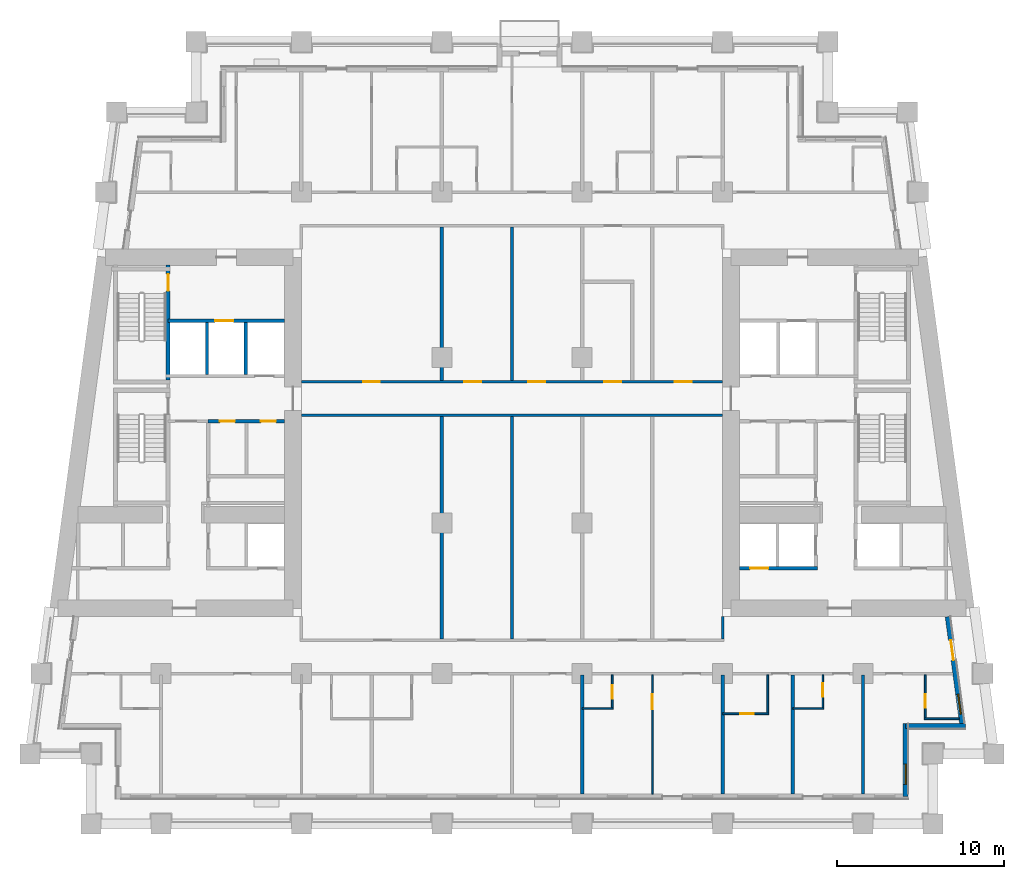
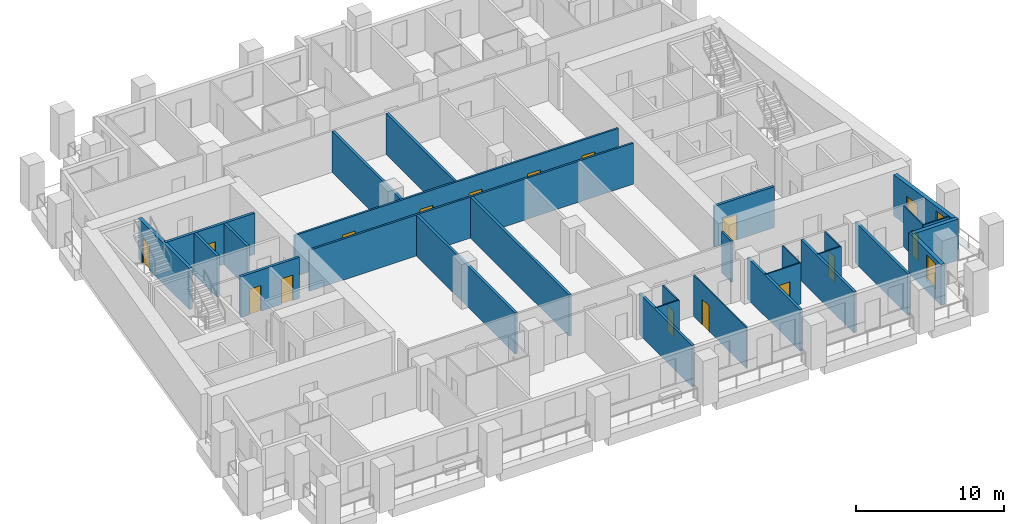
# One storey, part 4 of 13: 29 walls, 16 doors, 2 windows, 18 openings.
"""IFC4 building model written with IfcOpenShell, lengths in metres."""

from ifc_helpers import new_model, si_unit, direction, frame, frame_2d, origin, place, context, subcontext, project, spatial, rectangle, extrude, material, layer, layer_set, type_object, element, fill, save


model = new_model("IFC4")

# Units and contexts
model_context = context("Model", 3, precision=1e-05, world=origin(), true_north=direction((0.0, 1.0)))
body_context = subcontext(model_context, "Body", "Model", "MODEL_VIEW")
ifc_project = project(units=[si_unit("LENGTHUNIT", "METRE"), si_unit("AREAUNIT", "SQUARE_METRE"), si_unit("VOLUMEUNIT", "CUBIC_METRE"), si_unit("PLANEANGLEUNIT", "RADIAN"), si_unit("MASSUNIT", "GRAM", prefix="KILO")], contexts=[model_context])

# Site, building, storey
site_placement = place(None, origin())
site = spatial("IfcSite", under=ifc_project, at=site_placement, CompositionType="ELEMENT")
building_placement = place(site_placement, origin())
building = spatial("IfcBuilding", under=site, at=building_placement, Name="Candeia Pilgrim Tower and Theatre", CompositionType="ELEMENT")
storey_placement = place(building_placement, frame((0.0, 0.0, 109.5)))
storey = spatial("IfcBuildingStorey", under=building, at=storey_placement, Name="L25", CompositionType="ELEMENT", Elevation=109.5)

# Wall, opening, window
ifc_material_1 = material(Name="Ceramic block masonry", Category="masonry")
ifc_layer_1 = layer(ifc_material_1, 0.300048828125)
ifc_layer_set_1 = layer_set([ifc_layer_1], Name="EW1 glazing-line wall 300")
wall_type_1 = type_object("IfcWallType", Name="EW1 glazing-line wall 300", PredefinedType="SOLIDWALL", material=ifc_layer_set_1)
wall_1_placement = place(storey_placement, frame((136.949951171875, 99.64990234375, 0.0), z_axis=(0.0, 0.0, 1.0), x_axis=(0.0, 1.0, 0.0)))
wall_1 = element("IfcWall", 1, at=wall_1_placement, inside=storey, type_object=wall_type_1, Name="External wall L25-1.0", PredefinedType="SOLIDWALL", context=body_context, shape_type="SweptSolid", body=[
    extrude(rectangle(XDim=4.35009765625, YDim=0.300048828125, at=frame_2d((2.175048828125, 0.0))), origin(), (0.0, 0.0, 1.0), 3.3798828125),
])
opening_1_placement = place(wall_1_placement, frame((0.72509765625, 0.0, 0.89990234375)))
opening_1 = element("IfcOpeningElement", 2, at=opening_1_placement, cuts=wall_1, Name="Opening W-B", PredefinedType="OPENING", context=body_context, shape_type="SweptSolid", body=[
    extrude(rectangle(XDim=1.199951171875, YDim=2.10009765625, at=frame_2d((0.60009765625, 1.050048828125))), frame((0.0, 0.16015625, 0.0), z_axis=(0.0, -1.0, 0.0), x_axis=(1.0, 0.0, 0.0)), (0.0, 0.0, 1.0), 0.320068359375),
])
ifc_material_2 = material(Name="Aluminium framed double glazing", Category="aluminium")
window_type = type_object("IfcWindowType", Name="W-B window 1200x2100", PartitioningType="SINGLE_PANEL", PredefinedType="WINDOW", material=ifc_material_2)
window_1_placement = place(opening_1_placement, origin())
window_1 = element("IfcWindow", 3, at=window_1_placement, inside=storey, type_object=window_type, Name="Window W-B L25", OverallHeight=2.10009765625, OverallWidth=1.199951171875, PartitioningType="SINGLE_PANEL", PredefinedType="WINDOW", context=body_context, shape_type="SweptSolid", body=[
    extrude(rectangle(XDim=1.199951171875, YDim=2.10009765625, at=frame_2d((0.60009765625, 1.050048828125))), frame((0.0, 0.030029296875, 0.0), z_axis=(0.0, -1.0, 0.0), x_axis=(1.0, 0.0, 0.0)), (0.0, 0.0, 1.0), 0.06005859375),
])
fill(opening_1, window_1)

# Wall
wall_2_placement = place(storey_placement, frame((136.949951171875, 103.85009765625, 0.0), z_axis=(0.0, 0.0, 1.0), x_axis=(1.0, 0.0, 0.0)))
element("IfcWall", 4, at=wall_2_placement, inside=storey, type_object=wall_type_1, Name="External wall L25-2.0", PredefinedType="SOLIDWALL", context=body_context, shape_type="SweptSolid", body=[
    extrude(rectangle(XDim=3.569091796875, YDim=0.300048828125, at=frame_2d((1.78466796875, 0.0))), origin(), (0.0, 0.0, 1.0), 3.3798828125),
])

# Wall, openings, door, window
wall_3_placement = place(storey_placement, frame((140.34765625, 103.85009765625, 0.0), z_axis=(0.0, 0.0, 1.0), x_axis=(-0.133431549479, 0.991058031401, 0.0)))
wall_3 = element("IfcWall", 5, at=wall_3_placement, inside=storey, type_object=wall_type_1, Name="External wall L25-3.0", PredefinedType="SOLIDWALL", context=body_context, shape_type="SweptSolid", body=[
    extrude(rectangle(XDim=6.60888671875, YDim=0.300048828125, at=frame_2d((3.304443359375, 0.0))), origin(), (0.0, 0.0, 1.0), 3.3798828125),
])
opening_2_placement = place(wall_3_placement, frame((0.736572265625, 0.0, 0.89990234375)))
opening_2 = element("IfcOpeningElement", 6, at=opening_2_placement, cuts=wall_3, Name="Opening W-B", PredefinedType="OPENING", context=body_context, shape_type="SweptSolid", body=[
    extrude(rectangle(XDim=1.199951171875, YDim=2.10009765625, at=frame_2d((0.60009765625, 1.050048828125))), frame((0.0, 0.16015625, 0.0), z_axis=(0.0, -1.0, 0.0), x_axis=(1.0, 0.0, 0.0)), (0.0, 0.0, 1.0), 0.320068359375),
])
opening_3_placement = place(wall_3_placement, frame((3.990966796875, 0.0, 0.0)))
opening_3 = element("IfcOpeningElement", 7, at=opening_3_placement, cuts=wall_3, Name="Opening L25-ED255", PredefinedType="OPENING", context=body_context, shape_type="SweptSolid", body=[
    extrude(rectangle(XDim=1.199951171875, YDim=2.39990234375, at=frame_2d((0.60009765625, 1.199951171875))), frame((0.0, 0.16015625, 0.0), z_axis=(0.0, -1.0, 0.0), x_axis=(1.0, 0.0, 0.0)), (0.0, 0.0, 1.0), 0.320068359375),
])
ifc_material_3 = material(Name="Aluminium framed glazed door", Category="aluminium")
door_type_1 = type_object("IfcDoorType", Name="Loggia door 1200x2400", OperationType="DOUBLE_DOOR_SINGLE_SWING", PredefinedType="DOOR", material=ifc_material_3)
door_1_placement = place(opening_3_placement, origin())
door_1 = element("IfcDoor", 8, at=door_1_placement, inside=storey, type_object=door_type_1, Name="Loggia door L25-ED255", OperationType="DOUBLE_DOOR_SINGLE_SWING", OverallHeight=2.39990234375, OverallWidth=1.199951171875, PredefinedType="DOOR", context=body_context, shape_type="SweptSolid", body=[
    extrude(rectangle(XDim=1.199951171875, YDim=2.39990234375, at=frame_2d((0.60009765625, 1.199951171875))), frame((0.0, 0.02490234375, 0.0), z_axis=(0.0, -1.0, 0.0), x_axis=(1.0, 0.0, 0.0)), (0.0, 0.0, 1.0), 0.050048828125),
])
fill(opening_3, door_1)
window_2_placement = place(opening_2_placement, origin())
window_2 = element("IfcWindow", 9, at=window_2_placement, inside=storey, type_object=window_type, Name="Window W-B L25", OverallHeight=2.10009765625, OverallWidth=1.199951171875, PartitioningType="SINGLE_PANEL", PredefinedType="WINDOW", context=body_context, shape_type="SweptSolid", body=[
    extrude(rectangle(XDim=1.199951171875, YDim=2.10009765625, at=frame_2d((0.60009765625, 1.050048828125))), frame((0.0, 0.030029296875, 0.0), z_axis=(0.0, -1.0, 0.0), x_axis=(1.0, 0.0, 0.0)), (0.0, 0.0, 1.0), 0.06005859375),
])
fill(opening_2, window_2)

# Wall
ifc_material_4 = material(Name="Gypsum board partition on steel studs", Category="steel")
ifc_layer_2 = layer(ifc_material_4, 0.10009765625)
ifc_layer_set_2 = layer_set([ifc_layer_2], Name="PW-100 room partition")
wall_type_2 = type_object("IfcWallType", Name="PW-100 room partition", PredefinedType="PARTITIONING", material=ifc_layer_set_2)
wall_4_placement = place(storey_placement, frame((138.070068359375, 104.300048828125, 0.0), z_axis=(0.0, 0.0, 1.0), x_axis=(1.0, 0.0, 0.0)))
element("IfcWall", 10, at=wall_4_placement, inside=storey, type_object=wall_type_2, Name="Room partition L25-002", PredefinedType="PARTITIONING", context=body_context, shape_type="SweptSolid", body=[
    extrude(rectangle(XDim=2.07568359375, YDim=0.10009765625, at=frame_2d((1.037841796875, 0.0))), origin(), (0.0, 0.0, 1.0), 3.3798828125),
])

# Wall, opening, door
wall_5_placement = place(storey_placement, frame((126.0, 104.60009765625, 0.0), z_axis=(0.0, 0.0, 1.0), x_axis=(1.0, 0.0, 0.0)))
wall_5 = element("IfcWall", 11, at=wall_5_placement, inside=storey, type_object=wall_type_2, Name="Room partition L25-003", PredefinedType="PARTITIONING", context=body_context, shape_type="SweptSolid", body=[
    extrude(rectangle(XDim=2.75, YDim=0.10009765625, at=frame_2d((1.375, 0.0))), origin(), (0.0, 0.0, 1.0), 3.3798828125),
])
opening_4_placement = place(wall_5_placement, frame((1.070068359375, 0.0, 0.0)))
opening_4 = element("IfcOpeningElement", 12, at=opening_4_placement, cuts=wall_5, Name="Opening L25-D029", PredefinedType="OPENING", context=body_context, shape_type="SweptSolid", body=[
    extrude(rectangle(XDim=0.800048828125, YDim=2.10009765625, at=frame_2d((0.39990234375, 1.050048828125))), frame((0.0, 0.06005859375, 0.0), z_axis=(0.0, -1.0, 0.0), x_axis=(1.0, 0.0, 0.0)), (0.0, 0.0, 1.0), 0.1201171875),
])
ifc_material_5 = material(Name="Timber door leaf", Category="wood")
door_type_2 = type_object("IfcDoorType", Name="D-800", OperationType="NOTDEFINED", PredefinedType="DOOR", material=ifc_material_5)
door_2_placement = place(opening_4_placement, origin())
door_2 = element("IfcDoor", 13, at=door_2_placement, inside=storey, type_object=door_type_2, Name="Door L25-D029", OperationType="SINGLE_SWING_RIGHT", OverallHeight=2.10009765625, OverallWidth=0.800048828125, PredefinedType="DOOR", context=body_context, shape_type="SweptSolid", body=[
    extrude(rectangle(XDim=0.800048828125, YDim=2.10009765625, at=frame_2d((0.39990234375, 1.050048828125))), frame((0.0, 0.02490234375, 0.0), z_axis=(0.0, -1.0, 0.0), x_axis=(1.0, 0.0, 0.0)), (0.0, 0.0, 1.0), 0.050048828125),
])
fill(opening_4, door_2)

# Walls
wall_6_placement = place(storey_placement, frame((117.60009765625, 104.89990234375, 0.0), z_axis=(0.0, 0.0, 1.0), x_axis=(1.0, 0.0, 0.0)))
element("IfcWall", 14, at=wall_6_placement, inside=storey, type_object=wall_type_2, Name="Room partition L25-005", PredefinedType="PARTITIONING", context=body_context, shape_type="SweptSolid", body=[
    extrude(rectangle(XDim=1.849853515625, YDim=0.10009765625, at=frame_2d((0.9248046875, 0.0))), origin(), (0.0, 0.0, 1.0), 3.3798828125),
])
wall_7_placement = place(storey_placement, frame((130.199951171875, 104.89990234375, 0.0), z_axis=(0.0, 0.0, 1.0), x_axis=(1.0, 0.0, 0.0)))
element("IfcWall", 15, at=wall_7_placement, inside=storey, type_object=wall_type_2, Name="Room partition L25-006", PredefinedType="PARTITIONING", context=body_context, shape_type="SweptSolid", body=[
    extrude(rectangle(XDim=1.85009765625, YDim=0.10009765625, at=frame_2d((0.925048828125, 0.0))), origin(), (0.0, 0.0, 1.0), 3.3798828125),
])

# Wall, opening, door
wall_8_placement = place(storey_placement, frame((119.39990234375, 104.949951171875, 0.0), z_axis=(0.0, 0.0, 1.0), x_axis=(0.0, 1.0, 0.0)))
wall_8 = element("IfcWall", 16, at=wall_8_placement, inside=storey, type_object=wall_type_2, Name="Room partition L25-089", PredefinedType="PARTITIONING", context=body_context, shape_type="SweptSolid", body=[
    extrude(rectangle(XDim=1.97509765625, YDim=0.10009765625, at=frame_2d((0.987548828125, 0.0))), origin(), (0.0, 0.0, 1.0), 3.3798828125),
])
opening_5_placement = place(wall_8_placement, frame((0.5400390625, 0.0, 0.0)))
opening_5 = element("IfcOpeningElement", 17, at=opening_5_placement, cuts=wall_8, Name="Opening L25-D027", PredefinedType="OPENING", context=body_context, shape_type="SweptSolid", body=[
    extrude(rectangle(XDim=0.800048828125, YDim=2.10009765625, at=frame_2d((0.39990234375, 1.050048828125))), frame((0.0, 0.06005859375, 0.0), z_axis=(0.0, -1.0, 0.0), x_axis=(1.0, 0.0, 0.0)), (0.0, 0.0, 1.0), 0.1201171875),
])
door_3_placement = place(opening_5_placement, origin())
door_3 = element("IfcDoor", 18, at=door_3_placement, inside=storey, type_object=door_type_2, Name="Door L25-D027", OperationType="SINGLE_SWING_RIGHT", OverallHeight=2.10009765625, OverallWidth=0.800048828125, PredefinedType="DOOR", context=body_context, shape_type="SweptSolid", body=[
    extrude(rectangle(XDim=0.800048828125, YDim=2.10009765625, at=frame_2d((0.39990234375, 1.050048828125))), frame((0.0, 0.02490234375, 0.0), z_axis=(0.0, -1.0, 0.0), x_axis=(1.0, 0.0, 0.0)), (0.0, 0.0, 1.0), 0.050048828125),
])
fill(opening_5, door_3)

wall_9_placement = place(storey_placement, frame((121.800048828125, 99.7900390625, 0.0), z_axis=(0.0, 0.0, 1.0), x_axis=(0.0, 1.0, 0.0)))
wall_9 = element("IfcWall", 19, at=wall_9_placement, inside=storey, type_object=wall_type_2, Name="Room partition L25-092", PredefinedType="PARTITIONING", context=body_context, shape_type="SweptSolid", body=[
    extrude(rectangle(XDim=7.135009765625, YDim=0.10009765625, at=frame_2d((3.5673828125, 0.0))), origin(), (0.0, 0.0, 1.0), 3.3798828125),
])
opening_6_placement = place(wall_9_placement, frame((5.074951171875, 0.0, 0.0)))
opening_6 = element("IfcOpeningElement", 20, at=opening_6_placement, cuts=wall_9, Name="Opening L25-D026", PredefinedType="OPENING", context=body_context, shape_type="SweptSolid", body=[
    extrude(rectangle(XDim=0.89990234375, YDim=2.10009765625, at=frame_2d((0.449951171875, 1.050048828125))), frame((0.0, 0.06005859375, 0.0), z_axis=(0.0, -1.0, 0.0), x_axis=(1.0, 0.0, 0.0)), (0.0, 0.0, 1.0), 0.1201171875),
])
door_type_3 = type_object("IfcDoorType", Name="D-900", OperationType="NOTDEFINED", PredefinedType="DOOR", material=ifc_material_5)
door_4_placement = place(opening_6_placement, origin())
door_4 = element("IfcDoor", 21, at=door_4_placement, inside=storey, type_object=door_type_3, Name="Door L25-D026", OperationType="SINGLE_SWING_LEFT", OverallHeight=2.10009765625, OverallWidth=0.89990234375, PredefinedType="DOOR", context=body_context, shape_type="SweptSolid", body=[
    extrude(rectangle(XDim=0.89990234375, YDim=2.10009765625, at=frame_2d((0.449951171875, 1.050048828125))), frame((0.0, 0.02490234375, 0.0), z_axis=(0.0, -1.0, 0.0), x_axis=(1.0, 0.0, 0.0)), (0.0, 0.0, 1.0), 0.050048828125),
])
fill(opening_6, door_4)

# Wall
wall_10_placement = place(storey_placement, frame((128.699951171875, 104.64990234375, 0.0), z_axis=(0.0, 0.0, 1.0), x_axis=(0.0, 1.0, 0.0)))
element("IfcWall", 22, at=wall_10_placement, inside=storey, type_object=wall_type_2, Name="Room partition L25-101", PredefinedType="PARTITIONING", context=body_context, shape_type="SweptSolid", body=[
    extrude(rectangle(XDim=2.275146484375, YDim=0.10009765625, at=frame_2d((1.1376953125, 0.0))), origin(), (0.0, 0.0, 1.0), 3.3798828125),
])

# Wall, opening, door
wall_11_placement = place(storey_placement, frame((132.0, 104.949951171875, 0.0), z_axis=(0.0, 0.0, 1.0), x_axis=(0.0, 1.0, 0.0)))
wall_11 = element("IfcWall", 23, at=wall_11_placement, inside=storey, type_object=wall_type_2, Name="Room partition L25-111", PredefinedType="PARTITIONING", context=body_context, shape_type="SweptSolid", body=[
    extrude(rectangle(XDim=1.97509765625, YDim=0.10009765625, at=frame_2d((0.987548828125, 0.0))), origin(), (0.0, 0.0, 1.0), 3.3798828125),
])
opening_7_placement = place(wall_11_placement, frame((0.659912109375, 0.0, 0.0)))
opening_7 = element("IfcOpeningElement", 24, at=opening_7_placement, cuts=wall_11, Name="Opening L25-D031", PredefinedType="OPENING", context=body_context, shape_type="SweptSolid", body=[
    extrude(rectangle(XDim=0.800048828125, YDim=2.10009765625, at=frame_2d((0.39990234375, 1.050048828125))), frame((0.0, 0.06005859375, 0.0), z_axis=(0.0, -1.0, 0.0), x_axis=(1.0, 0.0, 0.0)), (0.0, 0.0, 1.0), 0.1201171875),
])
door_5_placement = place(opening_7_placement, origin())
door_5 = element("IfcDoor", 25, at=door_5_placement, inside=storey, type_object=door_type_2, Name="Door L25-D031", OperationType="SINGLE_SWING_RIGHT", OverallHeight=2.10009765625, OverallWidth=0.800048828125, PredefinedType="DOOR", context=body_context, shape_type="SweptSolid", body=[
    extrude(rectangle(XDim=0.800048828125, YDim=2.10009765625, at=frame_2d((0.39990234375, 1.050048828125))), frame((0.0, 0.02490234375, 0.0), z_axis=(0.0, -1.0, 0.0), x_axis=(1.0, 0.0, 0.0)), (0.0, 0.0, 1.0), 0.050048828125),
])
fill(opening_7, door_5)

wall_12_placement = place(storey_placement, frame((138.1201171875, 104.35009765625, 0.0), z_axis=(0.0, 0.0, 1.0), x_axis=(0.0, 1.0, 0.0)))
wall_12 = element("IfcWall", 26, at=wall_12_placement, inside=storey, type_object=wall_type_2, Name="Room partition L25-122", PredefinedType="PARTITIONING", context=body_context, shape_type="SweptSolid", body=[
    extrude(rectangle(XDim=2.574951171875, YDim=0.10009765625, at=frame_2d((1.28759765625, 0.0))), origin(), (0.0, 0.0, 1.0), 3.3798828125),
])
opening_8_placement = place(wall_12_placement, frame((0.60009765625, 0.0, 0.0)))
opening_8 = element("IfcOpeningElement", 27, at=opening_8_placement, cuts=wall_12, Name="Opening L25-D033", PredefinedType="OPENING", context=body_context, shape_type="SweptSolid", body=[
    extrude(rectangle(XDim=0.800048828125, YDim=2.10009765625, at=frame_2d((0.39990234375, 1.050048828125))), frame((0.0, 0.06005859375, 0.0), z_axis=(0.0, -1.0, 0.0), x_axis=(1.0, 0.0, 0.0)), (0.0, 0.0, 1.0), 0.1201171875),
])
door_6_placement = place(opening_8_placement, origin())
door_6 = element("IfcDoor", 28, at=door_6_placement, inside=storey, type_object=door_type_2, Name="Door L25-D033", OperationType="SINGLE_SWING_RIGHT", OverallHeight=2.10009765625, OverallWidth=0.800048828125, PredefinedType="DOOR", context=body_context, shape_type="SweptSolid", body=[
    extrude(rectangle(XDim=0.800048828125, YDim=2.10009765625, at=frame_2d((0.39990234375, 1.050048828125))), frame((0.0, 0.02490234375, 0.0), z_axis=(0.0, -1.0, 0.0), x_axis=(1.0, 0.0, 0.0)), (0.0, 0.0, 1.0), 0.050048828125),
])
fill(opening_8, door_6)

# Wall
ifc_layer_3 = layer(ifc_material_4, 0.14990234375)
ifc_layer_set_3 = layer_set([ifc_layer_3], Name="PW-150 unit wall")
wall_type_3 = type_object("IfcWallType", Name="PW-150 unit wall", PredefinedType="PARTITIONING", material=ifc_layer_set_3)
wall_13_placement = place(storey_placement, frame((100.800048828125, 122.449951171875, 0.0), z_axis=(0.0, 0.0, 1.0), x_axis=(1.0, 0.0, 0.0)))
element("IfcWall", 29, at=wall_13_placement, inside=storey, type_object=wall_type_3, Name="Unit wall L25-025", PredefinedType="PARTITIONING", context=body_context, shape_type="SweptSolid", body=[
    extrude(rectangle(XDim=25.199951171875, YDim=0.14990234375, at=frame_2d((12.60009765625, 0.0))), origin(), (0.0, 0.0, 1.0), 3.3798828125),
])

# Wall, openings, doors
wall_14_placement = place(storey_placement, frame((100.800048828125, 124.449951171875, 0.0), z_axis=(0.0, 0.0, 1.0), x_axis=(1.0, 0.0, 0.0)))
wall_14 = element("IfcWall", 30, at=wall_14_placement, inside=storey, type_object=wall_type_3, Name="Unit wall L25-030", PredefinedType="PARTITIONING", context=body_context, shape_type="SweptSolid", body=[
    extrude(rectangle(XDim=25.199951171875, YDim=0.14990234375, at=frame_2d((12.60009765625, 0.0))), origin(), (0.0, 0.0, 1.0), 3.3798828125),
])
opening_9_placement = place(wall_14_placement, frame((3.699951171875, 0.0, 0.0)))
opening_9 = element("IfcOpeningElement", 31, at=opening_9_placement, cuts=wall_14, Name="Opening L25-D056", PredefinedType="OPENING", context=body_context, shape_type="SweptSolid", body=[
    extrude(rectangle(XDim=1.0, YDim=2.10009765625, at=frame_2d((0.5, 1.050048828125))), frame((0.0, 0.0849609375, 0.0), z_axis=(0.0, -1.0, 0.0), x_axis=(1.0, 0.0, 0.0)), (0.0, 0.0, 1.0), 0.169921875),
])
opening_10_placement = place(wall_14_placement, frame((9.75, 0.0, 0.0)))
opening_10 = element("IfcOpeningElement", 32, at=opening_10_placement, cuts=wall_14, Name="Opening L25-D057", PredefinedType="OPENING", context=body_context, shape_type="SweptSolid", body=[
    extrude(rectangle(XDim=1.0, YDim=2.10009765625, at=frame_2d((0.5, 1.050048828125))), frame((0.0, 0.0849609375, 0.0), z_axis=(0.0, -1.0, 0.0), x_axis=(1.0, 0.0, 0.0)), (0.0, 0.0, 1.0), 0.169921875),
])
opening_11_placement = place(wall_14_placement, frame((13.574951171875, 0.0, 0.0)))
opening_11 = element("IfcOpeningElement", 33, at=opening_11_placement, cuts=wall_14, Name="Opening L25-D058", PredefinedType="OPENING", context=body_context, shape_type="SweptSolid", body=[
    extrude(rectangle(XDim=1.0, YDim=2.10009765625, at=frame_2d((0.5, 1.050048828125))), frame((0.0, 0.0849609375, 0.0), z_axis=(0.0, -1.0, 0.0), x_axis=(1.0, 0.0, 0.0)), (0.0, 0.0, 1.0), 0.169921875),
])
opening_12_placement = place(wall_14_placement, frame((18.125, 0.0, 0.0)))
opening_12 = element("IfcOpeningElement", 34, at=opening_12_placement, cuts=wall_14, Name="Opening L25-D059", PredefinedType="OPENING", context=body_context, shape_type="SweptSolid", body=[
    extrude(rectangle(XDim=1.0, YDim=2.10009765625, at=frame_2d((0.5, 1.050048828125))), frame((0.0, 0.0849609375, 0.0), z_axis=(0.0, -1.0, 0.0), x_axis=(1.0, 0.0, 0.0)), (0.0, 0.0, 1.0), 0.169921875),
])
opening_13_placement = place(wall_14_placement, frame((22.35009765625, 0.0, 0.0)))
opening_13 = element("IfcOpeningElement", 35, at=opening_13_placement, cuts=wall_14, Name="Opening L25-D060", PredefinedType="OPENING", context=body_context, shape_type="SweptSolid", body=[
    extrude(rectangle(XDim=1.0, YDim=2.10009765625, at=frame_2d((0.5, 1.050048828125))), frame((0.0, 0.0849609375, 0.0), z_axis=(0.0, -1.0, 0.0), x_axis=(1.0, 0.0, 0.0)), (0.0, 0.0, 1.0), 0.169921875),
])
ifc_material_6 = material(Name="Steel fire door set", Category="steel")
door_type_4 = type_object("IfcDoorType", Name="D-1000-FD30S", OperationType="NOTDEFINED", PredefinedType="DOOR", material=ifc_material_6)
door_7_placement = place(opening_9_placement, origin())
door_7 = element("IfcDoor", 36, at=door_7_placement, inside=storey, type_object=door_type_4, Name="Door L25-D056", OperationType="SINGLE_SWING_LEFT", OverallHeight=2.10009765625, OverallWidth=1.0, PredefinedType="DOOR", context=body_context, shape_type="SweptSolid", body=[
    extrude(rectangle(XDim=1.0, YDim=2.10009765625, at=frame_2d((0.5, 1.050048828125))), frame((0.0, 0.02490234375, 0.0), z_axis=(0.0, -1.0, 0.0), x_axis=(1.0, 0.0, 0.0)), (0.0, 0.0, 1.0), 0.050048828125),
])
fill(opening_9, door_7)
door_8_placement = place(opening_10_placement, origin())
door_8 = element("IfcDoor", 37, at=door_8_placement, inside=storey, type_object=door_type_4, Name="Door L25-D057", OperationType="SINGLE_SWING_RIGHT", OverallHeight=2.10009765625, OverallWidth=1.0, PredefinedType="DOOR", context=body_context, shape_type="SweptSolid", body=[
    extrude(rectangle(XDim=1.0, YDim=2.10009765625, at=frame_2d((0.5, 1.050048828125))), frame((0.0, 0.02490234375, 0.0), z_axis=(0.0, -1.0, 0.0), x_axis=(1.0, 0.0, 0.0)), (0.0, 0.0, 1.0), 0.050048828125),
])
fill(opening_10, door_8)
door_9_placement = place(opening_11_placement, origin())
door_9 = element("IfcDoor", 38, at=door_9_placement, inside=storey, type_object=door_type_4, Name="Door L25-D058", OperationType="SINGLE_SWING_LEFT", OverallHeight=2.10009765625, OverallWidth=1.0, PredefinedType="DOOR", context=body_context, shape_type="SweptSolid", body=[
    extrude(rectangle(XDim=1.0, YDim=2.10009765625, at=frame_2d((0.5, 1.050048828125))), frame((0.0, 0.02490234375, 0.0), z_axis=(0.0, -1.0, 0.0), x_axis=(1.0, 0.0, 0.0)), (0.0, 0.0, 1.0), 0.050048828125),
])
fill(opening_11, door_9)
door_10_placement = place(opening_12_placement, origin())
door_10 = element("IfcDoor", 39, at=door_10_placement, inside=storey, type_object=door_type_4, Name="Door L25-D059", OperationType="SINGLE_SWING_RIGHT", OverallHeight=2.10009765625, OverallWidth=1.0, PredefinedType="DOOR", context=body_context, shape_type="SweptSolid", body=[
    extrude(rectangle(XDim=1.0, YDim=2.10009765625, at=frame_2d((0.5, 1.050048828125))), frame((0.0, 0.02490234375, 0.0), z_axis=(0.0, -1.0, 0.0), x_axis=(1.0, 0.0, 0.0)), (0.0, 0.0, 1.0), 0.050048828125),
])
fill(opening_12, door_10)
door_11_placement = place(opening_13_placement, origin())
door_11 = element("IfcDoor", 40, at=door_11_placement, inside=storey, type_object=door_type_4, Name="Door L25-D060", OperationType="SINGLE_SWING_LEFT", OverallHeight=2.10009765625, OverallWidth=1.0, PredefinedType="DOOR", context=body_context, shape_type="SweptSolid", body=[
    extrude(rectangle(XDim=1.0, YDim=2.10009765625, at=frame_2d((0.5, 1.050048828125))), frame((0.0, 0.02490234375, 0.0), z_axis=(0.0, -1.0, 0.0), x_axis=(1.0, 0.0, 0.0)), (0.0, 0.0, 1.0), 0.050048828125),
])
fill(opening_13, door_11)

# Walls
wall_15_placement = place(storey_placement, frame((126.0, 109.074951171875, 0.0), z_axis=(0.0, 0.0, 1.0), x_axis=(0.0, 1.0, 0.0)))
element("IfcWall", 41, at=wall_15_placement, inside=storey, type_object=wall_type_3, Name="Unit wall L25-099", PredefinedType="PARTITIONING", context=body_context, shape_type="SweptSolid", body=[
    extrude(rectangle(XDim=1.324951171875, YDim=0.14990234375, at=frame_2d((0.66259765625, 0.0))), origin(), (0.0, 0.0, 1.0), 3.3798828125),
])
ifc_layer_4 = layer(ifc_material_4, 0.199951171875)
ifc_layer_set_4 = layer_set([ifc_layer_4], Name="PW-200 party wall")
wall_type_4 = type_object("IfcWallType", Name="PW-200 party wall", PredefinedType="PARTITIONING", material=ifc_layer_set_4)
wall_16_placement = place(storey_placement, frame((109.199951171875, 109.074951171875, 0.0), z_axis=(0.0, 0.0, 1.0), x_axis=(0.0, 1.0, 0.0)))
element("IfcWall", 42, at=wall_16_placement, inside=storey, type_object=wall_type_4, Name="Party wall L25-077", PredefinedType="PARTITIONING", context=body_context, shape_type="SweptSolid", body=[
    extrude(rectangle(XDim=13.300048828125, YDim=0.199951171875, at=frame_2d((6.64990234375, 0.0))), origin(), (0.0, 0.0, 1.0), 3.3798828125),
])
wall_17_placement = place(storey_placement, frame((109.199951171875, 124.52490234375, 0.0), z_axis=(0.0, 0.0, 1.0), x_axis=(0.0, 1.0, 0.0)))
element("IfcWall", 43, at=wall_17_placement, inside=storey, type_object=wall_type_4, Name="Party wall L25-078", PredefinedType="PARTITIONING", context=body_context, shape_type="SweptSolid", body=[
    extrude(rectangle(XDim=9.2001953125, YDim=0.199951171875, at=frame_2d((4.60009765625, 0.0))), origin(), (0.0, 0.0, 1.0), 3.3798828125),
])
wall_18_placement = place(storey_placement, frame((113.39990234375, 109.074951171875, 0.0), z_axis=(0.0, 0.0, 1.0), x_axis=(0.0, 1.0, 0.0)))
element("IfcWall", 44, at=wall_18_placement, inside=storey, type_object=wall_type_4, Name="Party wall L25-083", PredefinedType="PARTITIONING", context=body_context, shape_type="SweptSolid", body=[
    extrude(rectangle(XDim=13.300048828125, YDim=0.199951171875, at=frame_2d((6.64990234375, 0.0))), origin(), (0.0, 0.0, 1.0), 3.3798828125),
])
wall_19_placement = place(storey_placement, frame((113.39990234375, 124.52490234375, 0.0), z_axis=(0.0, 0.0, 1.0), x_axis=(0.0, 1.0, 0.0)))
element("IfcWall", 45, at=wall_19_placement, inside=storey, type_object=wall_type_4, Name="Party wall L25-084", PredefinedType="PARTITIONING", context=body_context, shape_type="SweptSolid", body=[
    extrude(rectangle(XDim=9.2001953125, YDim=0.199951171875, at=frame_2d((4.60009765625, 0.0))), origin(), (0.0, 0.0, 1.0), 3.3798828125),
])
for number, where, z_axis, x_axis, name in (
    (46, (117.60009765625, 99.7900390625, 0.0), (0.0, 0.0, 1.0), (0.0, 1.0, 0.0), "Party wall L25-085"),
    (47, (126.0, 99.7900390625, 0.0), (0.0, 0.0, 1.0), (0.0, 1.0, 0.0), "Party wall L25-097"),
    (48, (130.199951171875, 99.7900390625, 0.0), (0.0, 0.0, 1.0), (0.0, 1.0, 0.0), "Party wall L25-106"),
    (49, (134.39990234375, 99.7900390625, 0.0), (0.0, 0.0, 1.0), (0.0, 1.0, 0.0), "Party wall L25-118"),
):
    element("IfcWall", number, at=place(storey_placement, frame(where, z_axis=z_axis, x_axis=x_axis)), inside=storey, type_object=wall_type_4, Name=name, PredefinedType="PARTITIONING", context=body_context, shape_type="SweptSolid", body=[
        extrude(rectangle(XDim=7.135009765625, YDim=0.199951171875, at=frame_2d((3.5673828125, 0.0))), origin(), (0.0, 0.0, 1.0), 3.3798828125),
    ])

# Wall, opening, door
ifc_material_7 = material(Name="Concrete C40/50", Category="concrete")
ifc_layer_5 = layer(ifc_material_7, 0.199951171875)
ifc_layer_set_5 = layer_set([ifc_layer_5], Name="SW-200 shaft wall")
wall_type_5 = type_object("IfcWallType", Name="SW-200 shaft wall", PredefinedType="PARTITIONING", material=ifc_layer_set_5)
wall_20_placement = place(storey_placement, frame((127.0, 113.300048828125, 0.0), z_axis=(0.0, 0.0, 1.0), x_axis=(1.0, 0.0, 0.0)))
wall_20 = element("IfcWall", 50, at=wall_20_placement, inside=storey, type_object=wall_type_5, Name="Shaft wall L25-011", PredefinedType="PARTITIONING", context=body_context, shape_type="SweptSolid", body=[
    extrude(rectangle(XDim=4.673095703125, YDim=0.199951171875, at=frame_2d((2.33642578125, 0.0))), origin(), (0.0, 0.0, 1.0), 3.3798828125),
])
opening_14_placement = place(wall_20_placement, frame((0.64208984375, 0.0, 0.0)))
opening_14 = element("IfcOpeningElement", 51, at=opening_14_placement, cuts=wall_20, Name="Opening L25-LD08", PredefinedType="OPENING", context=body_context, shape_type="SweptSolid", body=[
    extrude(rectangle(XDim=1.10009765625, YDim=2.10009765625, at=frame_2d((0.550048828125, 1.050048828125))), frame((0.0, 0.10986328125, 0.0), z_axis=(0.0, -1.0, 0.0), x_axis=(1.0, 0.0, 0.0)), (0.0, 0.0, 1.0), 0.219970703125),
])
ifc_material_8 = material(Name="Glazed aluminium landing door", Category="aluminium")
door_type_5 = type_object("IfcDoorType", Name="LD-1100-EI120", OperationType="SLIDING_TO_LEFT", PredefinedType="DOOR", material=ifc_material_8)
door_12_placement = place(opening_14_placement, origin())
door_12 = element("IfcDoor", 52, at=door_12_placement, inside=storey, type_object=door_type_5, Name="Landing door 08 L25", OperationType="SLIDING_TO_LEFT", OverallHeight=2.10009765625, OverallWidth=1.10009765625, PredefinedType="DOOR", context=body_context, shape_type="SweptSolid", body=[
    extrude(rectangle(XDim=1.10009765625, YDim=2.10009765625, at=frame_2d((0.550048828125, 1.050048828125))), frame((0.0, 0.02490234375, 0.0), z_axis=(0.0, -1.0, 0.0), x_axis=(1.0, 0.0, 0.0)), (0.0, 0.0, 1.0), 0.050048828125),
])
fill(opening_14, door_12)

# Wall, openings, doors
wall_21_placement = place(storey_placement, frame((95.22705078125, 122.10009765625, 0.0), z_axis=(0.0, 0.0, 1.0), x_axis=(1.0, 0.0, 0.0)))
wall_21 = element("IfcWall", 53, at=wall_21_placement, inside=storey, type_object=wall_type_5, Name="Shaft wall L25-021", PredefinedType="PARTITIONING", context=body_context, shape_type="SweptSolid", body=[
    extrude(rectangle(XDim=4.572998046875, YDim=0.199951171875, at=frame_2d((2.28662109375, 0.0))), origin(), (0.0, 0.0, 1.0), 3.3798828125),
])
opening_15_placement = place(wall_21_placement, frame((0.693115234375, 0.0, 0.0)))
opening_15 = element("IfcOpeningElement", 54, at=opening_15_placement, cuts=wall_21, Name="Opening L25-D002", PredefinedType="OPENING", context=body_context, shape_type="SweptSolid", body=[
    extrude(rectangle(XDim=0.89990234375, YDim=2.10009765625, at=frame_2d((0.449951171875, 1.050048828125))), frame((0.0, 0.10986328125, 0.0), z_axis=(0.0, -1.0, 0.0), x_axis=(1.0, 0.0, 0.0)), (0.0, 0.0, 1.0), 0.219970703125),
])
opening_16_placement = place(wall_21_placement, frame((3.15087890625, 0.0, 0.0)))
opening_16 = element("IfcOpeningElement", 55, at=opening_16_placement, cuts=wall_21, Name="Opening L25-D003", PredefinedType="OPENING", context=body_context, shape_type="SweptSolid", body=[
    extrude(rectangle(XDim=0.89990234375, YDim=2.10009765625, at=frame_2d((0.449951171875, 1.050048828125))), frame((0.0, 0.10986328125, 0.0), z_axis=(0.0, -1.0, 0.0), x_axis=(1.0, 0.0, 0.0)), (0.0, 0.0, 1.0), 0.219970703125),
])
door_type_6 = type_object("IfcDoorType", Name="D-900-FD60", OperationType="NOTDEFINED", PredefinedType="DOOR", material=ifc_material_6)
door_13_placement = place(opening_15_placement, origin())
door_13 = element("IfcDoor", 56, at=door_13_placement, inside=storey, type_object=door_type_6, Name="Door L25-D002", OperationType="SINGLE_SWING_LEFT", OverallHeight=2.10009765625, OverallWidth=0.89990234375, PredefinedType="DOOR", context=body_context, shape_type="SweptSolid", body=[
    extrude(rectangle(XDim=0.89990234375, YDim=2.10009765625, at=frame_2d((0.449951171875, 1.050048828125))), frame((0.0, 0.02490234375, 0.0), z_axis=(0.0, -1.0, 0.0), x_axis=(1.0, 0.0, 0.0)), (0.0, 0.0, 1.0), 0.050048828125),
])
fill(opening_15, door_13)
door_14_placement = place(opening_16_placement, origin())
door_14 = element("IfcDoor", 57, at=door_14_placement, inside=storey, type_object=door_type_6, Name="Door L25-D003", OperationType="SINGLE_SWING_RIGHT", OverallHeight=2.10009765625, OverallWidth=0.89990234375, PredefinedType="DOOR", context=body_context, shape_type="SweptSolid", body=[
    extrude(rectangle(XDim=0.89990234375, YDim=2.10009765625, at=frame_2d((0.449951171875, 1.050048828125))), frame((0.0, 0.02490234375, 0.0), z_axis=(0.0, -1.0, 0.0), x_axis=(1.0, 0.0, 0.0)), (0.0, 0.0, 1.0), 0.050048828125),
])
fill(opening_16, door_14)

# Wall, opening, door
wall_22_placement = place(storey_placement, frame((92.826904296875, 128.10009765625, 0.0), z_axis=(0.0, 0.0, 1.0), x_axis=(1.0, 0.0, 0.0)))
wall_22 = element("IfcWall", 58, at=wall_22_placement, inside=storey, type_object=wall_type_5, Name="Shaft wall L25-034", PredefinedType="PARTITIONING", context=body_context, shape_type="SweptSolid", body=[
    extrude(rectangle(XDim=6.97314453125, YDim=0.199951171875, at=frame_2d((3.486572265625, 0.0))), origin(), (0.0, 0.0, 1.0), 3.3798828125),
])
opening_17_placement = place(wall_22_placement, frame((2.804931640625, 0.0, 0.0)))
opening_17 = element("IfcOpeningElement", 59, at=opening_17_placement, cuts=wall_22, Name="Opening L25-LD01", PredefinedType="OPENING", context=body_context, shape_type="SweptSolid", body=[
    extrude(rectangle(XDim=1.10009765625, YDim=2.10009765625, at=frame_2d((0.550048828125, 1.050048828125))), frame((0.0, 0.10986328125, 0.0), z_axis=(0.0, -1.0, 0.0), x_axis=(1.0, 0.0, 0.0)), (0.0, 0.0, 1.0), 0.219970703125),
])
door_15_placement = place(opening_17_placement, origin())
door_15 = element("IfcDoor", 60, at=door_15_placement, inside=storey, type_object=door_type_5, Name="Landing door 01 L25", OperationType="SLIDING_TO_LEFT", OverallHeight=2.10009765625, OverallWidth=1.10009765625, PredefinedType="DOOR", context=body_context, shape_type="SweptSolid", body=[
    extrude(rectangle(XDim=1.10009765625, YDim=2.10009765625, at=frame_2d((0.550048828125, 1.050048828125))), frame((0.0, 0.02490234375, 0.0), z_axis=(0.0, -1.0, 0.0), x_axis=(1.0, 0.0, 0.0)), (0.0, 0.0, 1.0), 0.050048828125),
])
fill(opening_17, door_15)

# Walls
for number, where, z_axis, x_axis, name in (
    (61, (95.1513671875, 124.89990234375, 0.0), (0.0, 0.0, 1.0), (0.0, 1.0, 0.0), "Shaft wall L25-061"),
    (62, (97.4755859375, 124.89990234375, 0.0), (0.0, 0.0, 1.0), (0.0, 1.0, 0.0), "Shaft wall L25-065"),
):
    element("IfcWall", number, at=place(storey_placement, frame(where, z_axis=z_axis, x_axis=x_axis)), inside=storey, type_object=wall_type_5, Name=name, PredefinedType="PARTITIONING", context=body_context, shape_type="SweptSolid", body=[
        extrude(rectangle(XDim=3.10009765625, YDim=0.199951171875, at=frame_2d((1.550048828125, 0.0))), origin(), (0.0, 0.0, 1.0), 3.3798828125),
    ])

# Wall, opening, door
ifc_layer_6 = layer(ifc_material_7, 0.25)
ifc_layer_set_6 = layer_set([ifc_layer_6], Name="SW-250 stair wall")
wall_type_6 = type_object("IfcWallType", Name="SW-250 stair wall", PredefinedType="PARTITIONING", material=ifc_layer_set_6)
wall_23_placement = place(storey_placement, frame((92.826904296875, 124.574951171875, 0.0), z_axis=(0.0, 0.0, 1.0), x_axis=(0.0, 1.0, 0.0)))
wall_23 = element("IfcWall", 63, at=wall_23_placement, inside=storey, type_object=wall_type_6, Name="Stair wall L25-058", PredefinedType="PARTITIONING", context=body_context, shape_type="SweptSolid", body=[
    extrude(rectangle(XDim=6.85498046875, YDim=0.25, at=frame_2d((3.427490234375, 0.0))), origin(), (0.0, 0.0, 1.0), 3.3798828125),
])
opening_18_placement = place(wall_23_placement, frame((5.324951171875, 0.0, 0.0)))
opening_18 = element("IfcOpeningElement", 64, at=opening_18_placement, cuts=wall_23, Name="Opening L25-D005", PredefinedType="OPENING", context=body_context, shape_type="SweptSolid", body=[
    extrude(rectangle(XDim=1.0, YDim=2.10009765625, at=frame_2d((0.5, 1.050048828125))), frame((0.0, 0.135009765625, 0.0), z_axis=(0.0, -1.0, 0.0), x_axis=(1.0, 0.0, 0.0)), (0.0, 0.0, 1.0), 0.27001953125),
])
door_type_7 = type_object("IfcDoorType", Name="D-1000-FD60", OperationType="NOTDEFINED", PredefinedType="DOOR", material=ifc_material_6)
door_16_placement = place(opening_18_placement, origin())
door_16 = element("IfcDoor", 65, at=door_16_placement, inside=storey, type_object=door_type_7, Name="Door L25-D005", OperationType="SINGLE_SWING_RIGHT", OverallHeight=2.10009765625, OverallWidth=1.0, PredefinedType="DOOR", context=body_context, shape_type="SweptSolid", body=[
    extrude(rectangle(XDim=1.0, YDim=2.10009765625, at=frame_2d((0.5, 1.050048828125))), frame((0.0, 0.02490234375, 0.0), z_axis=(0.0, -1.0, 0.0), x_axis=(1.0, 0.0, 0.0)), (0.0, 0.0, 1.0), 0.050048828125),
])
fill(opening_18, door_16)

save(model, "model.ifc")
